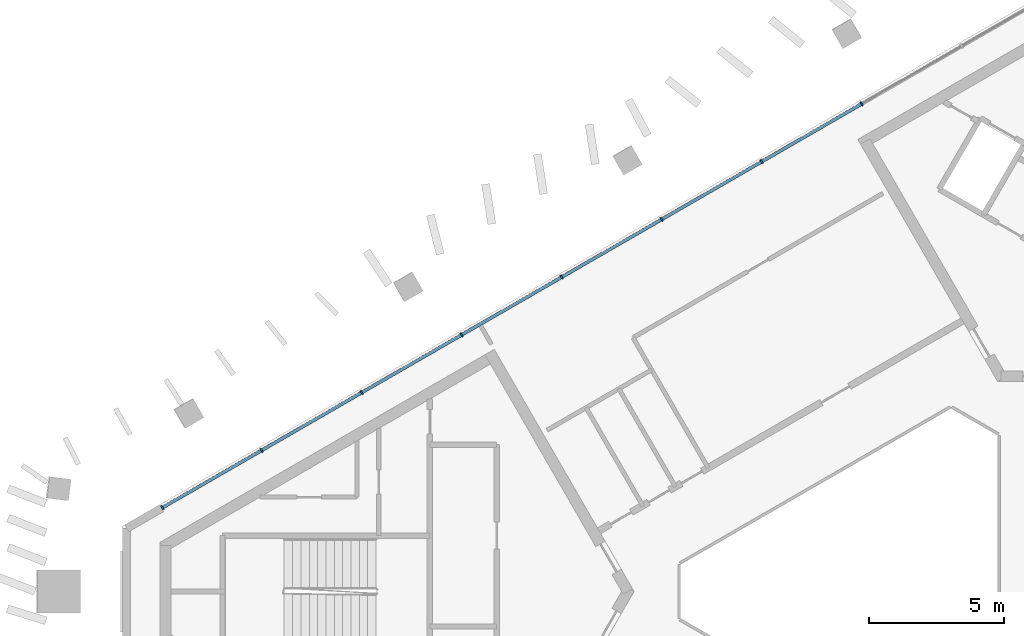
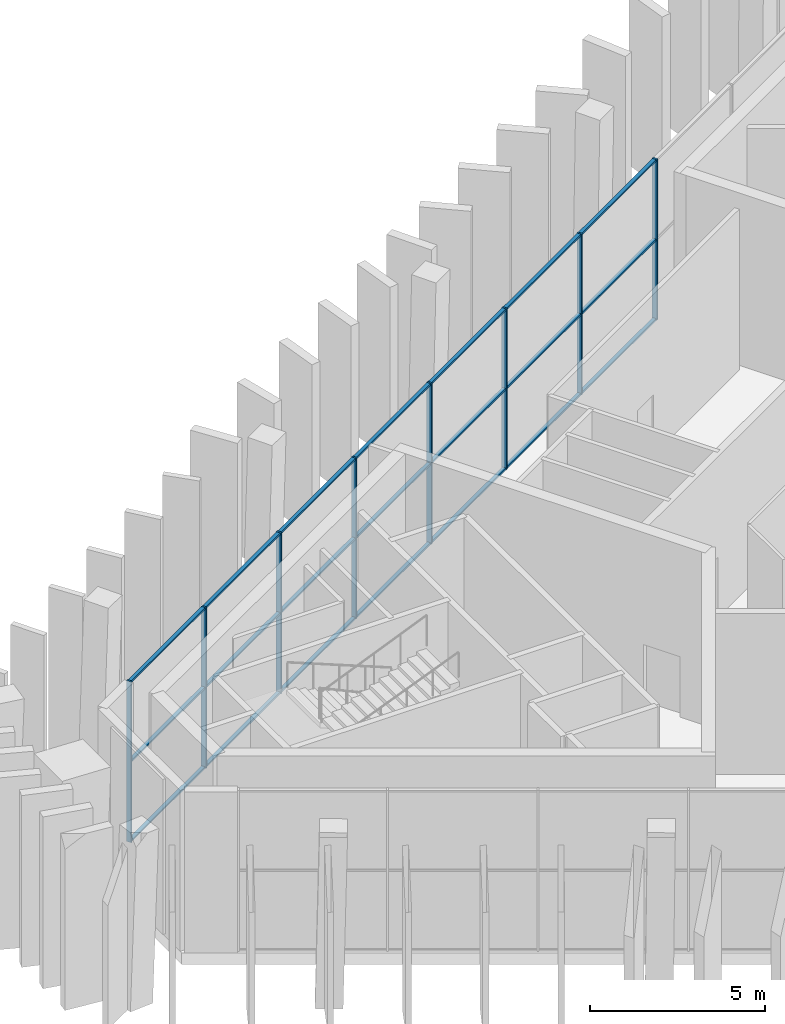
# One storey, part 4 of 12: 29 members, 1 element without a shape of its own.
"""IFC4 building model written with IfcOpenShell, lengths in metres."""

from ifc_helpers import new_model, si_unit, direction, frame, origin, origin_2d, place, context, subcontext, project, spatial, rectangle, extrude, material, layer, layer_set, material_profile, profile_set, type_object, element, aggregate, save


model = new_model("IFC4")

# Units and contexts
model_context = context("Model", 3, precision=1e-05, world=origin(), true_north=direction((0.0, 1.0)))
body_context = subcontext(model_context, "Body", "Model", "MODEL_VIEW")
ifc_project = project(units=[si_unit("LENGTHUNIT", "METRE"), si_unit("AREAUNIT", "SQUARE_METRE"), si_unit("VOLUMEUNIT", "CUBIC_METRE"), si_unit("PLANEANGLEUNIT", "RADIAN"), si_unit("MASSUNIT", "GRAM", prefix="KILO")], contexts=[model_context])

# Site, building, storey
site_placement = place(None, origin())
site = spatial("IfcSite", under=ifc_project, at=site_placement, CompositionType="ELEMENT")
building_placement = place(site_placement, origin())
building = spatial("IfcBuilding", under=site, at=building_placement, Name="Jabali Bay Hotel Tower and Convention Centre", CompositionType="ELEMENT")
storey_placement = place(building_placement, frame((0.0, 0.0, 304.800048828125)))
storey = spatial("IfcBuildingStorey", under=building, at=storey_placement, Name="L75", CompositionType="ELEMENT", Elevation=304.800048828125)

# Curtain wall, members
ifc_material_1 = material(Name="Aluminium and glass", Category="aluminium")
ifc_layer = layer(ifc_material_1, 0.159912109375)
ifc_layer_set = layer_set([ifc_layer], Name="Aluminium and glass")
curtain_wall_type = type_object("IfcCurtainWallType", Name="CW3 curtain wall", PredefinedType="NOTDEFINED", material=ifc_layer_set)
curtain_wall_placement = place(storey_placement, origin())
curtain_wall = element("IfcCurtainWall", 1, at=curtain_wall_placement, inside=storey, type_object=curtain_wall_type, Name="CW3 curtain wall north-west face L75", PredefinedType="NOTDEFINED")
ifc_material_2 = material(Name="Aluminium", Category="aluminium")
ifc_material_profile_1 = material_profile(ifc_material_2, rectangle(XDim=0.159912109375, YDim=0.06005859375, at=origin_2d()), Name="CW3 mullion 60 x 160")
ifc_profile_set_1 = profile_set([ifc_material_profile_1], Name="Aluminium")
member_type_1 = type_object("IfcMemberType", Name="CW3 mullion 60 x 160", PredefinedType="MULLION", material=ifc_profile_set_1)
member_1_placement = place(storey_placement, frame((48.484375, 83.111083984375, 0.0), z_axis=(0.0, 0.0, 1.0), x_axis=(-0.500000013347, 0.866025396079, 0.0)))
member_1 = element("IfcMember", 2, at=member_1_placement, type_object=member_type_1, Name="CW3 mullion 1", PredefinedType="MULLION", context=body_context, shape_type="SweptSolid", body=[
    extrude(rectangle(XDim=0.159912109375, YDim=0.06005859375, at=origin_2d()), origin(), (0.0, 0.0, 1.0), 5.599853515625),
])
member_2_placement = place(storey_placement, frame((52.171630859375, 85.239990234375, 0.0), z_axis=(0.0, 0.0, 1.0), x_axis=(-0.500000013347, 0.866025396079, 0.0)))
member_2 = element("IfcMember", 3, at=member_2_placement, type_object=member_type_1, Name="CW3 mullion 2", PredefinedType="MULLION", context=body_context, shape_type="SweptSolid", body=[
    extrude(rectangle(XDim=0.159912109375, YDim=0.06005859375, at=origin_2d()), origin(), (0.0, 0.0, 1.0), 5.599853515625),
])
member_3_placement = place(storey_placement, frame((55.884765625, 87.383544921875, 0.0), z_axis=(0.0, 0.0, 1.0), x_axis=(-0.500000013347, 0.866025396079, 0.0)))
member_3 = element("IfcMember", 4, at=member_3_placement, type_object=member_type_1, Name="CW3 mullion 3", PredefinedType="MULLION", context=body_context, shape_type="SweptSolid", body=[
    extrude(rectangle(XDim=0.159912109375, YDim=0.06005859375, at=origin_2d()), origin(), (0.0, 0.0, 1.0), 5.599853515625),
])
member_4_placement = place(storey_placement, frame((59.59765625, 89.52734375, 0.0), z_axis=(0.0, 0.0, 1.0), x_axis=(-0.500000013347, 0.866025396079, 0.0)))
member_4 = element("IfcMember", 5, at=member_4_placement, type_object=member_type_1, Name="CW3 mullion 4", PredefinedType="MULLION", context=body_context, shape_type="SweptSolid", body=[
    extrude(rectangle(XDim=0.159912109375, YDim=0.06005859375, at=origin_2d()), origin(), (0.0, 0.0, 1.0), 5.599853515625),
])
member_5_placement = place(storey_placement, frame((63.310791015625, 91.671142578125, 0.0), z_axis=(0.0, 0.0, 1.0), x_axis=(-0.500000013347, 0.866025396079, 0.0)))
member_5 = element("IfcMember", 6, at=member_5_placement, type_object=member_type_1, Name="CW3 mullion 5", PredefinedType="MULLION", context=body_context, shape_type="SweptSolid", body=[
    extrude(rectangle(XDim=0.159912109375, YDim=0.06005859375, at=origin_2d()), origin(), (0.0, 0.0, 1.0), 5.599853515625),
])
member_6_placement = place(storey_placement, frame((67.02392578125, 93.81494140625, 0.0), z_axis=(0.0, 0.0, 1.0), x_axis=(-0.500000013347, 0.866025396079, 0.0)))
member_6 = element("IfcMember", 7, at=member_6_placement, type_object=member_type_1, Name="CW3 mullion 6", PredefinedType="MULLION", context=body_context, shape_type="SweptSolid", body=[
    extrude(rectangle(XDim=0.159912109375, YDim=0.06005859375, at=origin_2d()), origin(), (0.0, 0.0, 1.0), 5.599853515625),
])
member_7_placement = place(storey_placement, frame((70.737060546875, 95.958740234375, 0.0), z_axis=(0.0, 0.0, 1.0), x_axis=(-0.500000013347, 0.866025396079, 0.0)))
member_7 = element("IfcMember", 8, at=member_7_placement, type_object=member_type_1, Name="CW3 mullion 7", PredefinedType="MULLION", context=body_context, shape_type="SweptSolid", body=[
    extrude(rectangle(XDim=0.159912109375, YDim=0.06005859375, at=origin_2d()), origin(), (0.0, 0.0, 1.0), 5.599853515625),
])
member_8_placement = place(storey_placement, frame((74.4501953125, 98.1025390625, 0.0), z_axis=(0.0, 0.0, 1.0), x_axis=(-0.500000013347, 0.866025396079, 0.0)))
member_8 = element("IfcMember", 9, at=member_8_placement, type_object=member_type_1, Name="CW3 mullion 8", PredefinedType="MULLION", context=body_context, shape_type="SweptSolid", body=[
    extrude(rectangle(XDim=0.159912109375, YDim=0.06005859375, at=origin_2d()), origin(), (0.0, 0.0, 1.0), 5.599853515625),
])
ifc_material_profile_2 = material_profile(ifc_material_2, rectangle(XDim=0.1201171875, YDim=0.06005859375, at=origin_2d()), Name="CW3 transom 60 x 120")
ifc_profile_set_2 = profile_set([ifc_material_profile_2], Name="Aluminium")
member_type_2 = type_object("IfcMemberType", Name="CW3 transom 60 x 120", PredefinedType="USERDEFINED", material=ifc_profile_set_2)
member_9_placement = place(storey_placement, frame((48.510498046875, 83.126220703125, 0.030029296875), z_axis=(0.866029639064, 0.499992664208, 0.0), x_axis=(-0.499992664208, 0.866029639064, 0.0)))
member_9 = element("IfcMember", 10, at=member_9_placement, type_object=member_type_2, Name="CW3 transom 1.1", ObjectType="TRANSOM", PredefinedType="USERDEFINED", context=body_context, shape_type="SweptSolid", body=[
    extrude(rectangle(XDim=0.1201171875, YDim=0.06005859375, at=origin_2d()), origin(), (0.0, 0.0, 1.0), 4.197265625),
])
member_10_placement = place(storey_placement, frame((48.510498046875, 83.126220703125, 2.800048828125), z_axis=(0.866029639064, 0.499992664208, 0.0), x_axis=(-0.499992664208, 0.866029639064, 0.0)))
member_10 = element("IfcMember", 11, at=member_10_placement, type_object=member_type_2, Name="CW3 transom 1.2", ObjectType="TRANSOM", PredefinedType="USERDEFINED", context=body_context, shape_type="SweptSolid", body=[
    extrude(rectangle(XDim=0.1201171875, YDim=0.06005859375, at=origin_2d()), origin(), (0.0, 0.0, 1.0), 4.197265625),
])
member_11_placement = place(storey_placement, frame((48.510498046875, 83.126220703125, 5.570068359375), z_axis=(0.866029639064, 0.499992664208, 0.0), x_axis=(-0.499992664208, 0.866029639064, 0.0)))
member_11 = element("IfcMember", 12, at=member_11_placement, type_object=member_type_2, Name="CW3 transom 1.3", ObjectType="TRANSOM", PredefinedType="USERDEFINED", context=body_context, shape_type="SweptSolid", body=[
    extrude(rectangle(XDim=0.1201171875, YDim=0.06005859375, at=origin_2d()), origin(), (0.0, 0.0, 1.0), 4.197265625),
])
member_12_placement = place(storey_placement, frame((52.197509765625, 85.2548828125, 0.030029296875), z_axis=(0.866024019333, 0.500002397932, 0.0), x_axis=(-0.500002397932, 0.866024019333, 0.0)))
member_12 = element("IfcMember", 13, at=member_12_placement, type_object=member_type_2, Name="CW3 transom 2.1", ObjectType="TRANSOM", PredefinedType="USERDEFINED", context=body_context, shape_type="SweptSolid", body=[
    extrude(rectangle(XDim=0.1201171875, YDim=0.06005859375, at=origin_2d()), origin(), (0.0, 0.0, 1.0), 4.2275390625),
])
member_13_placement = place(storey_placement, frame((52.197509765625, 85.2548828125, 2.800048828125), z_axis=(0.866024019333, 0.500002397932, 0.0), x_axis=(-0.500002397932, 0.866024019333, 0.0)))
member_13 = element("IfcMember", 14, at=member_13_placement, type_object=member_type_2, Name="CW3 transom 2.2", ObjectType="TRANSOM", PredefinedType="USERDEFINED", context=body_context, shape_type="SweptSolid", body=[
    extrude(rectangle(XDim=0.1201171875, YDim=0.06005859375, at=origin_2d()), origin(), (0.0, 0.0, 1.0), 4.2275390625),
])
member_14_placement = place(storey_placement, frame((52.197509765625, 85.2548828125, 5.570068359375), z_axis=(0.866024019333, 0.500002397932, 0.0), x_axis=(-0.500002397932, 0.866024019333, 0.0)))
member_14 = element("IfcMember", 15, at=member_14_placement, type_object=member_type_2, Name="CW3 transom 2.3", ObjectType="TRANSOM", PredefinedType="USERDEFINED", context=body_context, shape_type="SweptSolid", body=[
    extrude(rectangle(XDim=0.1201171875, YDim=0.06005859375, at=origin_2d()), origin(), (0.0, 0.0, 1.0), 4.2275390625),
])
member_15_placement = place(storey_placement, frame((55.91064453125, 87.398681640625, 0.030029296875), z_axis=(0.866024019333, 0.500002397932, 0.0), x_axis=(-0.500002397932, 0.866024019333, 0.0)))
member_15 = element("IfcMember", 16, at=member_15_placement, type_object=member_type_2, Name="CW3 transom 3.1", ObjectType="TRANSOM", PredefinedType="USERDEFINED", context=body_context, shape_type="SweptSolid", body=[
    extrude(rectangle(XDim=0.1201171875, YDim=0.06005859375, at=origin_2d()), origin(), (0.0, 0.0, 1.0), 4.2275390625),
])
member_16_placement = place(storey_placement, frame((55.91064453125, 87.398681640625, 2.800048828125), z_axis=(0.866024019333, 0.500002397932, 0.0), x_axis=(-0.500002397932, 0.866024019333, 0.0)))
member_16 = element("IfcMember", 17, at=member_16_placement, type_object=member_type_2, Name="CW3 transom 3.2", ObjectType="TRANSOM", PredefinedType="USERDEFINED", context=body_context, shape_type="SweptSolid", body=[
    extrude(rectangle(XDim=0.1201171875, YDim=0.06005859375, at=origin_2d()), origin(), (0.0, 0.0, 1.0), 4.2275390625),
])
member_17_placement = place(storey_placement, frame((55.91064453125, 87.398681640625, 5.570068359375), z_axis=(0.866024019333, 0.500002397932, 0.0), x_axis=(-0.500002397932, 0.866024019333, 0.0)))
member_17 = element("IfcMember", 18, at=member_17_placement, type_object=member_type_2, Name="CW3 transom 3.3", ObjectType="TRANSOM", PredefinedType="USERDEFINED", context=body_context, shape_type="SweptSolid", body=[
    extrude(rectangle(XDim=0.1201171875, YDim=0.06005859375, at=origin_2d()), origin(), (0.0, 0.0, 1.0), 4.2275390625),
])
member_18_placement = place(storey_placement, frame((59.623779296875, 89.54248046875, 0.030029296875), z_axis=(0.866024019333, 0.500002397932, 0.0), x_axis=(-0.500002397932, 0.866024019333, 0.0)))
member_18 = element("IfcMember", 19, at=member_18_placement, type_object=member_type_2, Name="CW3 transom 4.1", ObjectType="TRANSOM", PredefinedType="USERDEFINED", context=body_context, shape_type="SweptSolid", body=[
    extrude(rectangle(XDim=0.1201171875, YDim=0.06005859375, at=origin_2d()), origin(), (0.0, 0.0, 1.0), 4.2275390625),
])
member_19_placement = place(storey_placement, frame((59.623779296875, 89.54248046875, 2.800048828125), z_axis=(0.866024019333, 0.500002397932, 0.0), x_axis=(-0.500002397932, 0.866024019333, 0.0)))
member_19 = element("IfcMember", 20, at=member_19_placement, type_object=member_type_2, Name="CW3 transom 4.2", ObjectType="TRANSOM", PredefinedType="USERDEFINED", context=body_context, shape_type="SweptSolid", body=[
    extrude(rectangle(XDim=0.1201171875, YDim=0.06005859375, at=origin_2d()), origin(), (0.0, 0.0, 1.0), 4.2275390625),
])
member_20_placement = place(storey_placement, frame((59.623779296875, 89.54248046875, 5.570068359375), z_axis=(0.866024019333, 0.500002397932, 0.0), x_axis=(-0.500002397932, 0.866024019333, 0.0)))
member_20 = element("IfcMember", 21, at=member_20_placement, type_object=member_type_2, Name="CW3 transom 4.3", ObjectType="TRANSOM", PredefinedType="USERDEFINED", context=body_context, shape_type="SweptSolid", body=[
    extrude(rectangle(XDim=0.1201171875, YDim=0.06005859375, at=origin_2d()), origin(), (0.0, 0.0, 1.0), 4.2275390625),
])
member_21_placement = place(storey_placement, frame((63.3369140625, 91.68603515625, 0.030029296875), z_axis=(0.866024019333, 0.500002397932, 0.0), x_axis=(-0.500002397932, 0.866024019333, 0.0)))
member_21 = element("IfcMember", 22, at=member_21_placement, type_object=member_type_2, Name="CW3 transom 5.1", ObjectType="TRANSOM", PredefinedType="USERDEFINED", context=body_context, shape_type="SweptSolid", body=[
    extrude(rectangle(XDim=0.1201171875, YDim=0.06005859375, at=origin_2d()), origin(), (0.0, 0.0, 1.0), 4.2275390625),
])
member_22_placement = place(storey_placement, frame((63.3369140625, 91.68603515625, 2.800048828125), z_axis=(0.866024019333, 0.500002397932, 0.0), x_axis=(-0.500002397932, 0.866024019333, 0.0)))
member_22 = element("IfcMember", 23, at=member_22_placement, type_object=member_type_2, Name="CW3 transom 5.2", ObjectType="TRANSOM", PredefinedType="USERDEFINED", context=body_context, shape_type="SweptSolid", body=[
    extrude(rectangle(XDim=0.1201171875, YDim=0.06005859375, at=origin_2d()), origin(), (0.0, 0.0, 1.0), 4.2275390625),
])
member_23_placement = place(storey_placement, frame((63.3369140625, 91.68603515625, 5.570068359375), z_axis=(0.866024019333, 0.500002397932, 0.0), x_axis=(-0.500002397932, 0.866024019333, 0.0)))
member_23 = element("IfcMember", 24, at=member_23_placement, type_object=member_type_2, Name="CW3 transom 5.3", ObjectType="TRANSOM", PredefinedType="USERDEFINED", context=body_context, shape_type="SweptSolid", body=[
    extrude(rectangle(XDim=0.1201171875, YDim=0.06005859375, at=origin_2d()), origin(), (0.0, 0.0, 1.0), 4.2275390625),
])
member_24_placement = place(storey_placement, frame((67.050048828125, 93.829833984375, 0.030029296875), z_axis=(0.866024019333, 0.500002397932, 0.0), x_axis=(-0.500002397932, 0.866024019333, 0.0)))
member_24 = element("IfcMember", 25, at=member_24_placement, type_object=member_type_2, Name="CW3 transom 6.1", ObjectType="TRANSOM", PredefinedType="USERDEFINED", context=body_context, shape_type="SweptSolid", body=[
    extrude(rectangle(XDim=0.1201171875, YDim=0.06005859375, at=origin_2d()), origin(), (0.0, 0.0, 1.0), 4.2275390625),
])
member_25_placement = place(storey_placement, frame((67.050048828125, 93.829833984375, 2.800048828125), z_axis=(0.866024019333, 0.500002397932, 0.0), x_axis=(-0.500002397932, 0.866024019333, 0.0)))
member_25 = element("IfcMember", 26, at=member_25_placement, type_object=member_type_2, Name="CW3 transom 6.2", ObjectType="TRANSOM", PredefinedType="USERDEFINED", context=body_context, shape_type="SweptSolid", body=[
    extrude(rectangle(XDim=0.1201171875, YDim=0.06005859375, at=origin_2d()), origin(), (0.0, 0.0, 1.0), 4.2275390625),
])
member_26_placement = place(storey_placement, frame((67.050048828125, 93.829833984375, 5.570068359375), z_axis=(0.866024019333, 0.500002397932, 0.0), x_axis=(-0.500002397932, 0.866024019333, 0.0)))
member_26 = element("IfcMember", 27, at=member_26_placement, type_object=member_type_2, Name="CW3 transom 6.3", ObjectType="TRANSOM", PredefinedType="USERDEFINED", context=body_context, shape_type="SweptSolid", body=[
    extrude(rectangle(XDim=0.1201171875, YDim=0.06005859375, at=origin_2d()), origin(), (0.0, 0.0, 1.0), 4.2275390625),
])
member_27_placement = place(storey_placement, frame((70.762939453125, 95.9736328125, 0.030029296875), z_axis=(0.866024019333, 0.500002397932, 0.0), x_axis=(-0.500002397932, 0.866024019333, 0.0)))
member_27 = element("IfcMember", 28, at=member_27_placement, type_object=member_type_2, Name="CW3 transom 7.1", ObjectType="TRANSOM", PredefinedType="USERDEFINED", context=body_context, shape_type="SweptSolid", body=[
    extrude(rectangle(XDim=0.1201171875, YDim=0.06005859375, at=origin_2d()), origin(), (0.0, 0.0, 1.0), 4.2275390625),
])
member_28_placement = place(storey_placement, frame((70.762939453125, 95.9736328125, 2.800048828125), z_axis=(0.866024019333, 0.500002397932, 0.0), x_axis=(-0.500002397932, 0.866024019333, 0.0)))
member_28 = element("IfcMember", 29, at=member_28_placement, type_object=member_type_2, Name="CW3 transom 7.2", ObjectType="TRANSOM", PredefinedType="USERDEFINED", context=body_context, shape_type="SweptSolid", body=[
    extrude(rectangle(XDim=0.1201171875, YDim=0.06005859375, at=origin_2d()), origin(), (0.0, 0.0, 1.0), 4.2275390625),
])
member_29_placement = place(storey_placement, frame((70.762939453125, 95.9736328125, 5.570068359375), z_axis=(0.866024019333, 0.500002397932, 0.0), x_axis=(-0.500002397932, 0.866024019333, 0.0)))
member_29 = element("IfcMember", 30, at=member_29_placement, type_object=member_type_2, Name="CW3 transom 7.3", ObjectType="TRANSOM", PredefinedType="USERDEFINED", context=body_context, shape_type="SweptSolid", body=[
    extrude(rectangle(XDim=0.1201171875, YDim=0.06005859375, at=origin_2d()), origin(), (0.0, 0.0, 1.0), 4.2275390625),
])
aggregate(curtain_wall, [member_1, member_2, member_3, member_4, member_5, member_6, member_7, member_8, member_9, member_10, member_11, member_12, member_13, member_14, member_15, member_16, member_17, member_18, member_19, member_20, member_21, member_22, member_23, member_24, member_25, member_26, member_27, member_28, member_29])

save(model, "model.ifc")
